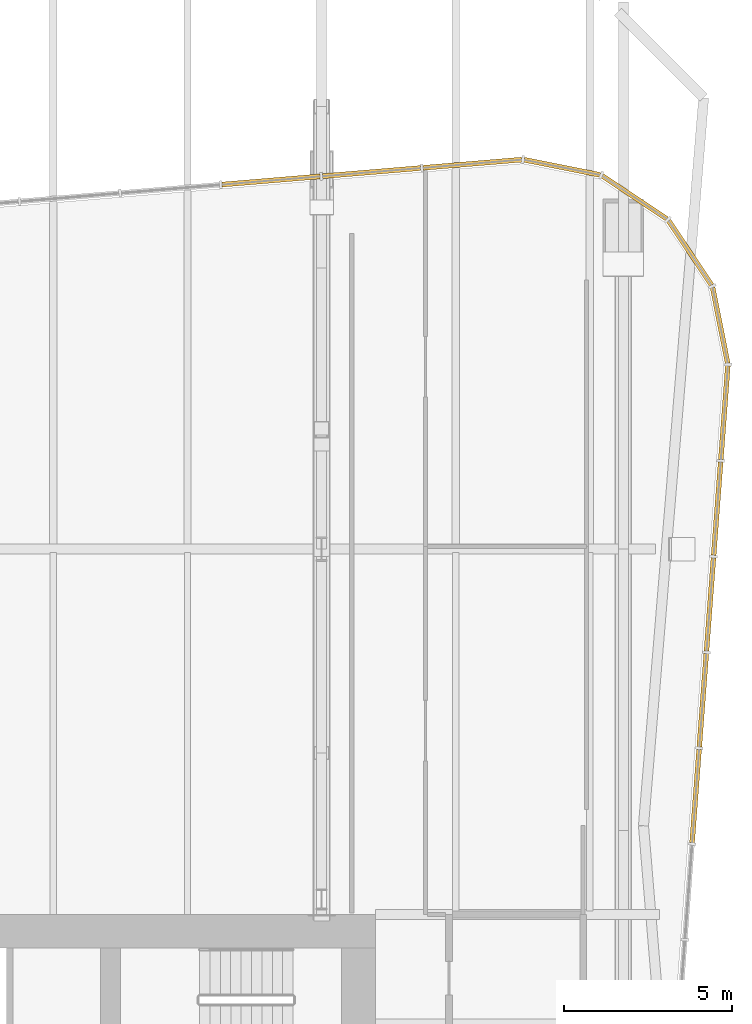
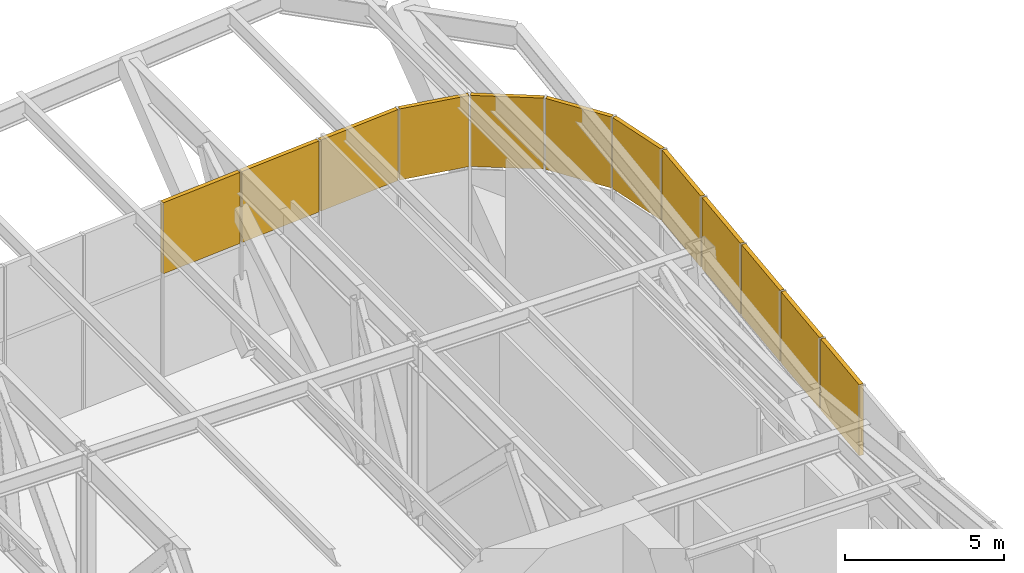
# One storey, part 16 of 16: 12 shading devices, 3 elements without a shape of their own.
"""IFC4 building model written with IfcOpenShell, lengths in metres."""

import ifcopenshell
import ifcopenshell.guid

model = None  # the IFC model being written
_history = None  # IfcOwnerHistory: only IFC2X3 demands one
_inside = {}  # id of a spatial element -> (the spatial element, [elements in it])
_under = {}  # id of a project, library or spatial element -> (it, [spatial elements below it])
_declared = {}  # id of a project -> (the project, [libraries it declares])
_typed = {}  # id of a type object -> (the type object, [elements of that type])
_made_of = {}  # id of a material, layer set ... -> (it, [elements and type objects made of it])


def new_model(schema):
    """Start an empty IFC model of exactly this schema.

    Asked for "IFC4X3", IfcOpenShell would pick the latest addendum, in which some entities
    have other attributes; the version numbers below select the first issue.
    IFC2X3 requires an IfcOwnerHistory on every rooted entity: one is made here for all.
    """
    global model, _history
    if schema == "IFC4X3":
        model = ifcopenshell.file(schema_version=(4, 3, 0, 0))
    else:
        model = ifcopenshell.file(schema=schema)
    _inside.clear()
    _under.clear()
    _declared.clear()
    _typed.clear()
    _made_of.clear()
    _history = None
    if model.schema == "IFC2X3":
        org = make("IfcOrganization", Name="unknown")
        user = make(
            "IfcPersonAndOrganization",
            ThePerson=make("IfcPerson", FamilyName="unknown"),
            TheOrganization=org,
        )
        app = make(
            "IfcApplication",
            ApplicationDeveloper=org,
            Version="unknown",
            ApplicationFullName="unknown",
            ApplicationIdentifier="unknown",
        )
        _history = make(
            "IfcOwnerHistory",
            OwningUser=user,
            OwningApplication=app,
            ChangeAction="ADDED",
            CreationDate=0,
        )
    return model


def make(cls, **values):
    """One entity of the class cls with the attributes given. An attribute that is None is left unset."""
    return model.create_entity(
        cls, **{name: value for name, value in values.items() if value is not None}
    )


def rooted(cls, **values):
    """An entity with a GlobalId (a new one), such as an element, a storey or a relation."""
    return make(cls, GlobalId=ifcopenshell.guid.new(), OwnerHistory=_history, **values)


def si_unit(unit_type, name, prefix=None):
    """IfcSIUnit, for example si_unit("LENGTHUNIT", "METRE", prefix="MILLI")."""
    return make("IfcSIUnit", UnitType=unit_type, Prefix=prefix, Name=name)


def assignment(units):
    """IfcUnitAssignment: the units of a project."""
    return None if units is None else make("IfcUnitAssignment", Units=units)


def point(xyz):
    """IfcCartesianPoint."""
    return None if xyz is None else make("IfcCartesianPoint", Coordinates=xyz)


def direction(xyz):
    """IfcDirection."""
    return None if xyz is None else make("IfcDirection", DirectionRatios=xyz)


def frame(location, z_axis=None, x_axis=None):
    """IfcAxis2Placement3D, a coordinate frame: its origin and axes. An axis left out is left unset."""
    return make(
        "IfcAxis2Placement3D",
        Location=point(location),
        Axis=direction(z_axis),
        RefDirection=direction(x_axis),
    )


def frame_2d(location, x_axis=None):
    """IfcAxis2Placement2D, a coordinate frame in the plane: its origin and x axis."""
    return make(
        "IfcAxis2Placement2D", Location=point(location), RefDirection=direction(x_axis)
    )


def origin():
    """The frame at (0, 0, 0) with its axes left unset."""
    return frame((0.0, 0.0, 0.0))


def origin_2d():
    """The frame at (0, 0) in the plane with its x axis left unset."""
    return frame_2d((0.0, 0.0))


def place(relative_to, where):
    """IfcLocalPlacement: puts the frame where relative to a parent placement (None: the world)."""
    return make(
        "IfcLocalPlacement", PlacementRelTo=relative_to, RelativePlacement=where
    )


def context(
    kind, dimensions, precision=None, world=None, true_north=None, identifier=None
):
    """IfcGeometricRepresentationContext, for example the 3D "Model" context."""
    return make(
        "IfcGeometricRepresentationContext",
        ContextIdentifier=identifier,
        ContextType=kind,
        CoordinateSpaceDimension=dimensions,
        Precision=precision,
        WorldCoordinateSystem=world,
        TrueNorth=true_north,
    )


def subcontext(parent, identifier, kind, view, scale=None):
    """IfcGeometricRepresentationSubContext, for example "Body" below "Model"."""
    return make(
        "IfcGeometricRepresentationSubContext",
        ContextIdentifier=identifier,
        ContextType=kind,
        ParentContext=parent,
        TargetScale=scale,
        TargetView=view,
    )


def project(units=None, contexts=None):
    """IfcProject with its units and contexts."""
    return rooted(
        "IfcProject",
        Name="project",
        RepresentationContexts=contexts,
        UnitsInContext=assignment(units),
    )


def spatial(cls, under=None, at=None, **own):
    """A site, building, storey or space (cls), placed at a placement, below another one or the project."""
    s = rooted(cls, ObjectPlacement=at, **own)
    if under is not None:
        _under.setdefault(under.id(), (under, []))[1].append(s)
    return s


def profile(cls, at=None, kind="AREA", **sizes):
    """A parametric profile (cls). Its sizes go by their IFC names, for example OverallWidth=200.0."""
    return make(cls, ProfileType=kind, Position=at, **sizes)


def rectangle(**sizes):
    """IfcRectangleProfileDef."""
    return profile("IfcRectangleProfileDef", **sizes)


def extrude(swept, where, along, depth):
    """IfcExtrudedAreaSolid: the profile swept, set in the frame where, extruded along a direction by depth."""
    return make(
        "IfcExtrudedAreaSolid",
        SweptArea=swept,
        Position=where,
        ExtrudedDirection=direction(along),
        Depth=depth,
    )


def shape(context_of_items, identifier, shape_type, items):
    """IfcShapeRepresentation: the items that make up one representation, for example the "Body"."""
    return make(
        "IfcShapeRepresentation",
        ContextOfItems=context_of_items,
        RepresentationIdentifier=identifier,
        RepresentationType=shape_type,
        Items=items,
    )


def material(Name=None, Category=None):
    """IfcMaterial."""
    return make("IfcMaterial", Name=Name, Category=Category)


def layer(
    of_material, thickness, ventilated=None, Name=None, Category=None, Priority=None
):
    """IfcMaterialLayer: one layer of a wall or slab, of a material (None: an air gap)."""
    return make(
        "IfcMaterialLayer",
        Material=of_material,
        LayerThickness=thickness,
        IsVentilated=ventilated,
        Name=Name,
        Category=Category,
        Priority=Priority,
    )


def layer_set(layers, Name=None):
    """IfcMaterialLayerSet."""
    return make("IfcMaterialLayerSet", MaterialLayers=layers, LayerSetName=Name)


def made_of(thing, what):
    """Note that an element or type object is made of a material, layer set ...; save() writes the relation."""
    if what is not None:
        _made_of.setdefault(what.id(), (what, []))[1].append(thing)
    return thing


def type_object(cls, material=None, **own):
    """A type object (cls), such as IfcWallType, which elements share."""
    return made_of(rooted(cls, **own), material)


def element(
    cls,
    number,
    at=None,
    inside=None,
    cuts=None,
    type_object=None,
    material=None,
    context=None,
    identifier="Body",
    shape_type=None,
    held_by="IfcProductDefinitionShape",
    body=None,
    shapes=None,
    **own,
):
    """One element of the class cls, such as IfcWall. Its Tag is "e" and its number.

    at: its placement. inside: the storey or other place that contains it. cuts: it is an
    opening in that element (IfcRelVoidsElement). A single representation is given by context,
    identifier, shape_type and body (its items); several are given by shapes. held_by: the class
    of the entity that holds the representations. save() writes the other relations.
    """
    e = rooted(cls, Tag="e%d" % number, ObjectPlacement=at, **own)
    if body is not None:
        shapes = [shape(context, identifier, shape_type, body)]
    if shapes is not None:
        e.Representation = make(held_by, Representations=shapes)
    if inside is not None:
        _inside.setdefault(inside.id(), (inside, []))[1].append(e)
    if cuts is not None:
        rooted(
            "IfcRelVoidsElement", RelatingBuildingElement=cuts, RelatedOpeningElement=e
        )
    if type_object is not None:
        _typed.setdefault(type_object.id(), (type_object, []))[1].append(e)
    return made_of(e, material)


def aggregate(whole, parts):
    """IfcRelAggregates: a whole, such as a stair, and the parts it consists of."""
    return rooted("IfcRelAggregates", RelatingObject=whole, RelatedObjects=parts)


def save(model, path):
    """Write the relations noted so far, then the file.

    IfcRelAggregates (storeys below a building ...), IfcRelContainedInSpatialStructure (elements
    in a storey), IfcRelDefinesByType, IfcRelAssociatesMaterial and IfcRelDeclares: one each for
    every whole, place, type object, material and project.
    """
    for whole, parts in _under.values():
        aggregate(whole, parts)
    for where, things in _inside.values():
        rooted(
            "IfcRelContainedInSpatialStructure",
            RelatedElements=things,
            RelatingStructure=where,
        )
    for kind, things in _typed.values():
        rooted("IfcRelDefinesByType", RelatedObjects=things, RelatingType=kind)
    for what, things in _made_of.values():
        rooted("IfcRelAssociatesMaterial", RelatedObjects=things, RelatingMaterial=what)
    for by, libraries in _declared.values():
        rooted("IfcRelDeclares", RelatingContext=by, RelatedDefinitions=libraries)
    model.write(path)


model = new_model("IFC4")

# Units and contexts
model_context = context("Model", 3, precision=1e-05, world=origin(), true_north=direction((0.0, 1.0)))
body_context = subcontext(model_context, "Body", "Model", "MODEL_VIEW")
ifc_project = project(units=[si_unit("LENGTHUNIT", "METRE"), si_unit("AREAUNIT", "SQUARE_METRE"), si_unit("VOLUMEUNIT", "CUBIC_METRE"), si_unit("PLANEANGLEUNIT", "RADIAN"), si_unit("MASSUNIT", "GRAM", prefix="KILO")], contexts=[model_context])

# Site, building, storey
site_placement = place(None, origin())
site = spatial("IfcSite", under=ifc_project, at=site_placement, CompositionType="ELEMENT")
building_placement = place(site_placement, origin())
building = spatial("IfcBuilding", under=site, at=building_placement, Name="Verdant Reach Tower", CompositionType="ELEMENT")
storey_placement = place(building_placement, frame((0.0, 0.0, 170.0)))
storey = spatial("IfcBuildingStorey", under=building, at=storey_placement, Name="L39 Plant", CompositionType="ELEMENT", Elevation=170.0)

# Curtain wall, shading devices
ifc_material_1 = material(Name="Anodised aluminium", Category="aluminium")
curtain_wall_type = type_object("IfcCurtainWallType", Name="EN-CW SYSTEM PLANT", PredefinedType="NOTDEFINED", material=ifc_material_1)
curtain_wall_1_placement = place(storey_placement, origin())
curtain_wall_1 = element("IfcCurtainWall", 1, at=curtain_wall_1_placement, inside=storey, type_object=curtain_wall_type, Name="Curtain wall east, L39", PredefinedType="NOTDEFINED")
ifc_material_2 = material(Name="Bronze anodised aluminium louvre", Category="aluminium")
ifc_layer = layer(ifc_material_2, 0.14990234375)
ifc_layer_set = layer_set([ifc_layer], Name="EN-LOUVRE")
shading_device_type = type_object("IfcShadingDeviceType", Name="EN-LOUVRE", PredefinedType="USERDEFINED", material=ifc_layer_set)
shading_device_1_placement = place(storey_placement, frame((23.154296875, 42.134033203125, 3.925048828125), z_axis=(0.0, 0.0, 1.0), x_axis=(0.074789948245, 0.997199309888, 0.0)))
shading_device_1 = element("IfcShadingDevice", 2, at=shading_device_1_placement, type_object=shading_device_type, Name="Louvre bank east face part 2 3, L39", ObjectType="LOUVRE", PredefinedType="USERDEFINED", context=body_context, shape_type="SweptSolid", body=[
    extrude(rectangle(XDim=2.7890625, YDim=0.14990234375, at=origin_2d()), origin(), (0.0, 0.0, 1.0), 2.72509765625),
])
shading_device_2_placement = place(storey_placement, frame((23.36865234375, 44.9912109375, 3.925048828125), z_axis=(0.0, 0.0, 1.0), x_axis=(0.074789948245, 0.997199309888, 0.0)))
shading_device_2 = element("IfcShadingDevice", 3, at=shading_device_2_placement, type_object=shading_device_type, Name="Louvre bank east face part 2 4, L39", ObjectType="LOUVRE", PredefinedType="USERDEFINED", context=body_context, shape_type="SweptSolid", body=[
    extrude(rectangle(XDim=2.7890625, YDim=0.14990234375, at=origin_2d()), origin(), (0.0, 0.0, 1.0), 2.72509765625),
])
shading_device_3_placement = place(storey_placement, frame((23.5830078125, 47.84814453125, 3.925048828125), z_axis=(0.0, 0.0, 1.0), x_axis=(0.074789948245, 0.997199309888, 0.0)))
shading_device_3 = element("IfcShadingDevice", 4, at=shading_device_3_placement, type_object=shading_device_type, Name="Louvre bank east face part 2 5, L39", ObjectType="LOUVRE", PredefinedType="USERDEFINED", context=body_context, shape_type="SweptSolid", body=[
    extrude(rectangle(XDim=2.7890625, YDim=0.14990234375, at=origin_2d()), origin(), (0.0, 0.0, 1.0), 2.72509765625),
])
shading_device_4_placement = place(storey_placement, frame((23.797119140625, 50.705322265625, 3.925048828125), z_axis=(0.0, 0.0, 1.0), x_axis=(0.074789948245, 0.997199309888, 0.0)))
shading_device_4 = element("IfcShadingDevice", 5, at=shading_device_4_placement, type_object=shading_device_type, Name="Louvre bank east face part 2 6, L39", ObjectType="LOUVRE", PredefinedType="USERDEFINED", context=body_context, shape_type="SweptSolid", body=[
    extrude(rectangle(XDim=2.7890625, YDim=0.14990234375, at=origin_2d()), origin(), (0.0, 0.0, 1.0), 2.72509765625),
])
shading_device_5_placement = place(storey_placement, frame((24.011474609375, 53.570556640625, 3.925048828125), z_axis=(0.0, 0.0, 1.0), x_axis=(0.074411874128, 0.997227593375, 0.0)))
shading_device_5 = element("IfcShadingDevice", 6, at=shading_device_5_placement, type_object=shading_device_type, Name="Louvre bank east face part 2 7, L39", ObjectType="LOUVRE", PredefinedType="USERDEFINED", context=body_context, shape_type="SweptSolid", body=[
    extrude(rectangle(XDim=2.80517578125, YDim=0.14990234375, at=origin_2d()), origin(), (0.0, 0.0, 1.0), 2.72509765625),
])
aggregate(curtain_wall_1, [shading_device_1, shading_device_2, shading_device_3, shading_device_4, shading_device_5])

curtain_wall_2_placement = place(storey_placement, origin())
curtain_wall_2 = element("IfcCurtainWall", 7, at=curtain_wall_2_placement, inside=storey, type_object=curtain_wall_type, Name="Curtain wall north-east corner, L39", PredefinedType="NOTDEFINED")
shading_device_6_placement = place(storey_placement, frame((23.885986328125, 56.17431640625, 3.925048828125), z_axis=(0.0, 0.0, 1.0), x_axis=(-0.195573211056, 0.980689104211, 0.0)))
shading_device_6 = element("IfcShadingDevice", 8, at=shading_device_6_placement, type_object=shading_device_type, Name="Louvre bank north-east corner 1, L39", ObjectType="LOUVRE", PredefinedType="USERDEFINED", context=body_context, shape_type="SweptSolid", body=[
    extrude(rectangle(XDim=2.304443359375, YDim=0.14990234375, at=origin_2d()), origin(), (0.0, 0.0, 1.0), 2.72509765625),
])
shading_device_7_placement = place(storey_placement, frame((22.989990234375, 58.334228515625, 3.925048828125), z_axis=(0.0, 0.0, 1.0), x_axis=(-0.555596466265, 0.83145208321, 0.0)))
shading_device_7 = element("IfcShadingDevice", 9, at=shading_device_7_placement, type_object=shading_device_type, Name="Louvre bank north-east corner 2, L39", ObjectType="LOUVRE", PredefinedType="USERDEFINED", context=body_context, shape_type="SweptSolid", body=[
    extrude(rectangle(XDim=2.3115234375, YDim=0.14990234375, at=origin_2d()), origin(), (0.0, 0.0, 1.0), 2.72509765625),
])
shading_device_8_placement = place(storey_placement, frame((21.334228515625, 59.989990234375, 3.925048828125), z_axis=(0.0, 0.0, 1.0), x_axis=(-0.83145208321, 0.555596466265, 0.0)))
shading_device_8 = element("IfcShadingDevice", 10, at=shading_device_8_placement, type_object=shading_device_type, Name="Louvre bank north-east corner 3, L39", ObjectType="LOUVRE", PredefinedType="USERDEFINED", context=body_context, shape_type="SweptSolid", body=[
    extrude(rectangle(XDim=2.3115234375, YDim=0.14990234375, at=origin_2d()), origin(), (0.0, 0.0, 1.0), 2.72509765625),
])
shading_device_9_placement = place(storey_placement, frame((19.174072265625, 60.885986328125, 3.925048828125), z_axis=(0.0, 0.0, 1.0), x_axis=(-0.980694678629, 0.195545256419, 0.0)))
shading_device_9 = element("IfcShadingDevice", 11, at=shading_device_9_placement, type_object=shading_device_type, Name="Louvre bank north-east corner 4, L39", ObjectType="LOUVRE", PredefinedType="USERDEFINED", context=body_context, shape_type="SweptSolid", body=[
    extrude(rectangle(XDim=2.304931640625, YDim=0.14990234375, at=origin_2d()), origin(), (0.0, 0.0, 1.0), 2.72509765625),
])
aggregate(curtain_wall_2, [shading_device_6, shading_device_7, shading_device_8, shading_device_9])

curtain_wall_3_placement = place(storey_placement, origin())
curtain_wall_3 = element("IfcCurtainWall", 12, at=curtain_wall_3_placement, inside=storey, type_object=curtain_wall_type, Name="Curtain wall north, L39", PredefinedType="NOTDEFINED")
shading_device_10_placement = place(storey_placement, frame((16.49853515625, 60.99365234375, 3.925048828125), z_axis=(0.0, 0.0, 1.0), x_axis=(-0.996577509664, -0.082663578629, 0.0)))
shading_device_10 = element("IfcShadingDevice", 13, at=shading_device_10_placement, type_object=shading_device_type, Name="Louvre bank north face part 1 1, L39", ObjectType="LOUVRE", PredefinedType="USERDEFINED", context=body_context, shape_type="SweptSolid", body=[
    extrude(rectangle(XDim=2.950927734375, YDim=0.14990234375, at=origin_2d()), origin(), (0.0, 0.0, 1.0), 2.72509765625),
])
shading_device_11_placement = place(storey_placement, frame((13.490234375, 60.74365234375, 3.925048828125), z_axis=(0.0, 0.0, 1.0), x_axis=(-0.996545758244, -0.083045479859, 0.0)))
shading_device_11 = element("IfcShadingDevice", 14, at=shading_device_11_placement, type_object=shading_device_type, Name="Louvre bank north face part 1 2, L39", ObjectType="LOUVRE", PredefinedType="USERDEFINED", context=body_context, shape_type="SweptSolid", body=[
    extrude(rectangle(XDim=2.934326171875, YDim=0.14990234375, at=origin_2d()), origin(), (0.0, 0.0, 1.0), 2.72509765625),
])
shading_device_12_placement = place(storey_placement, frame((10.490234375, 60.49365234375, 3.925048828125), z_axis=(0.0, 0.0, 1.0), x_axis=(-0.996545758244, -0.083045479859, 0.0)))
shading_device_12 = element("IfcShadingDevice", 15, at=shading_device_12_placement, type_object=shading_device_type, Name="Louvre bank north face part 1 3, L39", ObjectType="LOUVRE", PredefinedType="USERDEFINED", context=body_context, shape_type="SweptSolid", body=[
    extrude(rectangle(XDim=2.934326171875, YDim=0.14990234375, at=origin_2d()), origin(), (0.0, 0.0, 1.0), 2.72509765625),
])
aggregate(curtain_wall_3, [shading_device_10, shading_device_11, shading_device_12])

save(model, "model.ifc")
